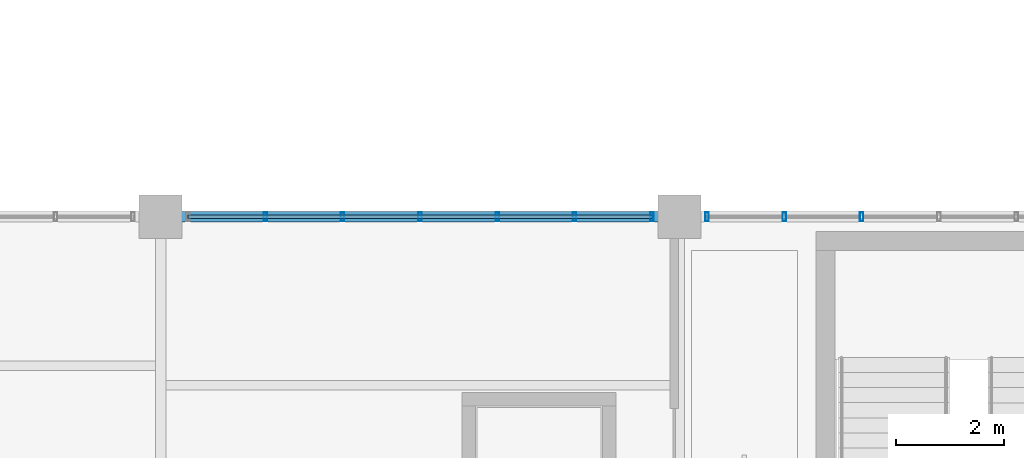
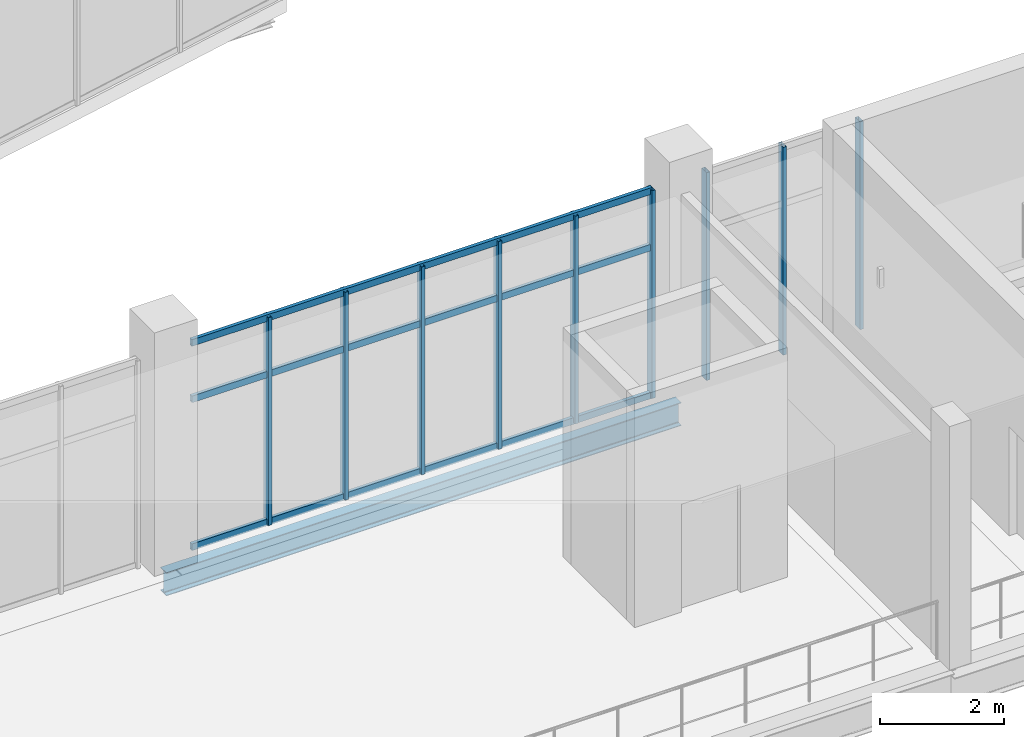
# One storey, part 65 of 157: 12 members, 1 beam, 2 elements without a shape of their own.
"""IFC4 building model written with IfcOpenShell, lengths in metres."""

from ifc_helpers import new_model, si_unit, direction, frame, origin, origin_2d, place, context, subcontext, project, spatial, hollow_rectangle, i_section, extrude, material, layer, layer_set, material_profile, profile_set, type_object, element, aggregate, save


model = new_model("IFC4")

# Units and contexts
model_context = context("Model", 3, precision=1e-05, world=origin(), true_north=direction((0.0, 1.0)))
body_context = subcontext(model_context, "Body", "Model", "MODEL_VIEW")
ifc_project = project(units=[si_unit("LENGTHUNIT", "METRE"), si_unit("AREAUNIT", "SQUARE_METRE"), si_unit("VOLUMEUNIT", "CUBIC_METRE"), si_unit("PLANEANGLEUNIT", "RADIAN"), si_unit("MASSUNIT", "GRAM", prefix="KILO")], contexts=[model_context])

# Site, building, storey
site_placement = place(None, origin())
site = spatial("IfcSite", under=ifc_project, at=site_placement, CompositionType="ELEMENT")
building_placement = place(site_placement, origin())
building = spatial("IfcBuilding", under=site, at=building_placement, Name="Chalmorin Arch Market", CompositionType="ELEMENT")
storey_placement = place(building_placement, frame((0.0, 0.0, 4.800048828125)))
storey = spatial("IfcBuildingStorey", under=building, at=storey_placement, Name="L01", CompositionType="ELEMENT", Elevation=4.800048828125)

# Curtain wall, members
ifc_material_1 = material(Name="Aluminium 6063-T6", Category="aluminium")
ifc_layer = layer(ifc_material_1, 0.159912109375)
ifc_layer_set = layer_set([ifc_layer], Name="Aluminium 6063-T6")
curtain_wall_type = type_object("IfcCurtainWallType", Name="MarketClerestoryCurtainWall-CW1-8580x4100", PredefinedType="NOTDEFINED", material=ifc_layer_set)
curtain_wall_1_placement = place(storey_placement, origin())
curtain_wall_1 = element("IfcCurtainWall", 1, at=curtain_wall_1_placement, inside=storey, type_object=curtain_wall_type, Name="CW-01-021", PredefinedType="NOTDEFINED")
ifc_material_profile_1 = material_profile(ifc_material_1, hollow_rectangle(XDim=0.06494140625, YDim=0.159912109375, WallThickness=0.00390625, at=origin_2d()), Name="ALU65X160X4")
ifc_profile_set_1 = profile_set([ifc_material_profile_1], Name="Aluminium 6063-T6")
member_type_1 = type_object("IfcMemberType", Name="CurtainWallMullion-65x160", PredefinedType="MULLION", material=ifc_profile_set_1)
member_1_placement = place(storey_placement, frame((107.5400390625, 58.800048828125, 0.0), z_axis=(0.0, 0.0, 1.0), x_axis=(1.0, 0.0, 0.0)))
member_1 = element("IfcMember", 2, at=member_1_placement, type_object=member_type_1, Name="ML-021-02", PredefinedType="MULLION", context=body_context, shape_type="SweptSolid", body=[
    extrude(hollow_rectangle(XDim=0.06494140625, YDim=0.159912109375, WallThickness=0.00390625, at=origin_2d()), origin(), (0.0, 0.0, 1.0), 4.095947265625),
])
member_2_placement = place(storey_placement, frame((108.969970703125, 58.800048828125, 0.0), z_axis=(0.0, 0.0, 1.0), x_axis=(1.0, 0.0, 0.0)))
member_2 = element("IfcMember", 3, at=member_2_placement, type_object=member_type_1, Name="ML-021-03", PredefinedType="MULLION", context=body_context, shape_type="SweptSolid", body=[
    extrude(hollow_rectangle(XDim=0.06494140625, YDim=0.159912109375, WallThickness=0.00390625, at=origin_2d()), origin(), (0.0, 0.0, 1.0), 4.095947265625),
])
member_3_placement = place(storey_placement, frame((110.39990234375, 58.800048828125, 0.0), z_axis=(0.0, 0.0, 1.0), x_axis=(1.0, 0.0, 0.0)))
member_3 = element("IfcMember", 4, at=member_3_placement, type_object=member_type_1, Name="ML-021-04", PredefinedType="MULLION", context=body_context, shape_type="SweptSolid", body=[
    extrude(hollow_rectangle(XDim=0.06494140625, YDim=0.159912109375, WallThickness=0.00390625, at=origin_2d()), origin(), (0.0, 0.0, 1.0), 4.095947265625),
])
member_4_placement = place(storey_placement, frame((111.830078125, 58.800048828125, 0.0), z_axis=(0.0, 0.0, 1.0), x_axis=(1.0, 0.0, 0.0)))
member_4 = element("IfcMember", 5, at=member_4_placement, type_object=member_type_1, Name="ML-021-05", PredefinedType="MULLION", context=body_context, shape_type="SweptSolid", body=[
    extrude(hollow_rectangle(XDim=0.06494140625, YDim=0.159912109375, WallThickness=0.00390625, at=origin_2d()), origin(), (0.0, 0.0, 1.0), 4.095947265625),
])
member_5_placement = place(storey_placement, frame((113.260009765625, 58.800048828125, 0.0), z_axis=(0.0, 0.0, 1.0), x_axis=(1.0, 0.0, 0.0)))
member_5 = element("IfcMember", 6, at=member_5_placement, type_object=member_type_1, Name="ML-021-06", PredefinedType="MULLION", context=body_context, shape_type="SweptSolid", body=[
    extrude(hollow_rectangle(XDim=0.06494140625, YDim=0.159912109375, WallThickness=0.00390625, at=origin_2d()), origin(), (0.0, 0.0, 1.0), 4.095947265625),
])
member_6_placement = place(storey_placement, frame((114.68994140625, 58.800048828125, 0.0), z_axis=(0.0, 0.0, 1.0), x_axis=(1.0, 0.0, 0.0)))
member_6 = element("IfcMember", 7, at=member_6_placement, type_object=member_type_1, Name="ML-021-07", PredefinedType="MULLION", context=body_context, shape_type="SweptSolid", body=[
    extrude(hollow_rectangle(XDim=0.06494140625, YDim=0.159912109375, WallThickness=0.00390625, at=origin_2d()), origin(), (0.0, 0.0, 1.0), 4.095947265625),
])

curtain_wall_2_placement = place(storey_placement, origin())
curtain_wall_2 = element("IfcCurtainWall", 8, at=curtain_wall_2_placement, inside=storey, type_object=curtain_wall_type, Name="CW-01-024", PredefinedType="NOTDEFINED")
member_7_placement = place(storey_placement, frame((115.7099609375, 58.800048828125, 0.0), z_axis=(0.0, 0.0, 1.0), x_axis=(1.0, 0.0, 0.0)))
member_7 = element("IfcMember", 9, at=member_7_placement, type_object=member_type_1, Name="ML-024-01", PredefinedType="MULLION", context=body_context, shape_type="SweptSolid", body=[
    extrude(hollow_rectangle(XDim=0.06494140625, YDim=0.159912109375, WallThickness=0.00390625, at=origin_2d()), origin(), (0.0, 0.0, 1.0), 4.095947265625),
])
member_8_placement = place(storey_placement, frame((117.139892578125, 58.800048828125, 0.0), z_axis=(0.0, 0.0, 1.0), x_axis=(1.0, 0.0, 0.0)))
member_8 = element("IfcMember", 10, at=member_8_placement, type_object=member_type_1, Name="ML-024-02", PredefinedType="MULLION", context=body_context, shape_type="SweptSolid", body=[
    extrude(hollow_rectangle(XDim=0.06494140625, YDim=0.159912109375, WallThickness=0.00390625, at=origin_2d()), origin(), (0.0, 0.0, 1.0), 4.095947265625),
])
member_9_placement = place(storey_placement, frame((118.570068359375, 58.800048828125, 0.0), z_axis=(0.0, 0.0, 1.0), x_axis=(1.0, 0.0, 0.0)))
member_9 = element("IfcMember", 11, at=member_9_placement, type_object=member_type_1, Name="ML-024-03", PredefinedType="MULLION", context=body_context, shape_type="SweptSolid", body=[
    extrude(hollow_rectangle(XDim=0.06494140625, YDim=0.159912109375, WallThickness=0.00390625, at=origin_2d()), origin(), (0.0, 0.0, 1.0), 4.095947265625),
])
aggregate(curtain_wall_2, [member_7, member_8, member_9])

# Member
ifc_material_profile_2 = material_profile(ifc_material_1, hollow_rectangle(XDim=0.06494140625, YDim=0.1298828125, WallThickness=0.00390625, at=origin_2d()), Name="ALU65X130X4")
ifc_profile_set_2 = profile_set([ifc_material_profile_2], Name="Aluminium 6063-T6")
member_type_2 = type_object("IfcMemberType", Name="CurtainWallTransom-65x130", PredefinedType="USERDEFINED", material=ifc_profile_set_2)
member_10_placement = place(storey_placement, frame((106.110107421875, 58.800048828125, 0.034912109375), z_axis=(1.0, 0.0, 0.0), x_axis=(0.0, 1.0, 0.0)))
member_10 = element("IfcMember", 12, at=member_10_placement, type_object=member_type_2, Name="TR-021-01", ObjectType="TRANSOM", PredefinedType="USERDEFINED", context=body_context, shape_type="SweptSolid", body=[
    extrude(hollow_rectangle(XDim=0.06494140625, YDim=0.1298828125, WallThickness=0.00390625, at=origin_2d()), origin(), (0.0, 0.0, 1.0), 8.579833984375),
])

member_11_placement = place(storey_placement, frame((106.110107421875, 58.800048828125, 2.948974609375), z_axis=(1.0, 0.0, 0.0), x_axis=(0.0, 1.0, 0.0)))
member_11 = element("IfcMember", 13, at=member_11_placement, type_object=member_type_2, Name="TR-021-02", ObjectType="TRANSOM", PredefinedType="USERDEFINED", context=body_context, shape_type="SweptSolid", body=[
    extrude(hollow_rectangle(XDim=0.06494140625, YDim=0.1298828125, WallThickness=0.00390625, at=origin_2d()), origin(), (0.0, 0.0, 1.0), 8.579833984375),
])

member_12_placement = place(storey_placement, frame((106.110107421875, 58.800048828125, 4.06103515625), z_axis=(1.0, 0.0, 0.0), x_axis=(0.0, 1.0, 0.0)))
member_12 = element("IfcMember", 14, at=member_12_placement, type_object=member_type_2, Name="TR-021-03", ObjectType="TRANSOM", PredefinedType="USERDEFINED", context=body_context, shape_type="SweptSolid", body=[
    extrude(hollow_rectangle(XDim=0.06494140625, YDim=0.1298828125, WallThickness=0.00390625, at=origin_2d()), origin(), (0.0, 0.0, 1.0), 8.579833984375),
])

aggregate(curtain_wall_1, [member_1, member_2, member_3, member_4, member_5, member_6, member_10, member_11, member_12])

# Beam
ifc_material_2 = material(Name="Steel A992 Grade 50", Category="steel")
ifc_material_profile_3 = material_profile(ifc_material_2, i_section(OverallWidth=0.19091796875, OverallDepth=0.45703125, WebThickness=0.009033203125, FlangeThickness=0.014404296875, FilletRadius=0.02001953125, at=origin_2d()), Name="W18X50")
ifc_profile_set_3 = profile_set([ifc_material_profile_3], Name="Steel A992 Grade 50")
beam_type = type_object("IfcBeamType", Name="PerimeterSpandrelBeam-W18X50", PredefinedType="SPANDREL", material=ifc_profile_set_3)
beam_placement = place(storey_placement, frame((105.60009765625, 58.800048828125, -0.48046875), z_axis=(1.0, 0.0, 0.0), x_axis=(0.0, 1.0, 0.0)))
element("IfcBeam", 15, at=beam_placement, inside=storey, type_object=beam_type, Name="SP-W18-0659", PredefinedType="SPANDREL", context=body_context, shape_type="SweptSolid", body=[
    extrude(i_section(OverallWidth=0.19091796875, OverallDepth=0.45703125, WebThickness=0.009033203125, FlangeThickness=0.014404296875, FilletRadius=0.02001953125, at=origin_2d()), origin(), (0.0, 0.0, 1.0), 9.599853515625),
])

save(model, "model.ifc")
